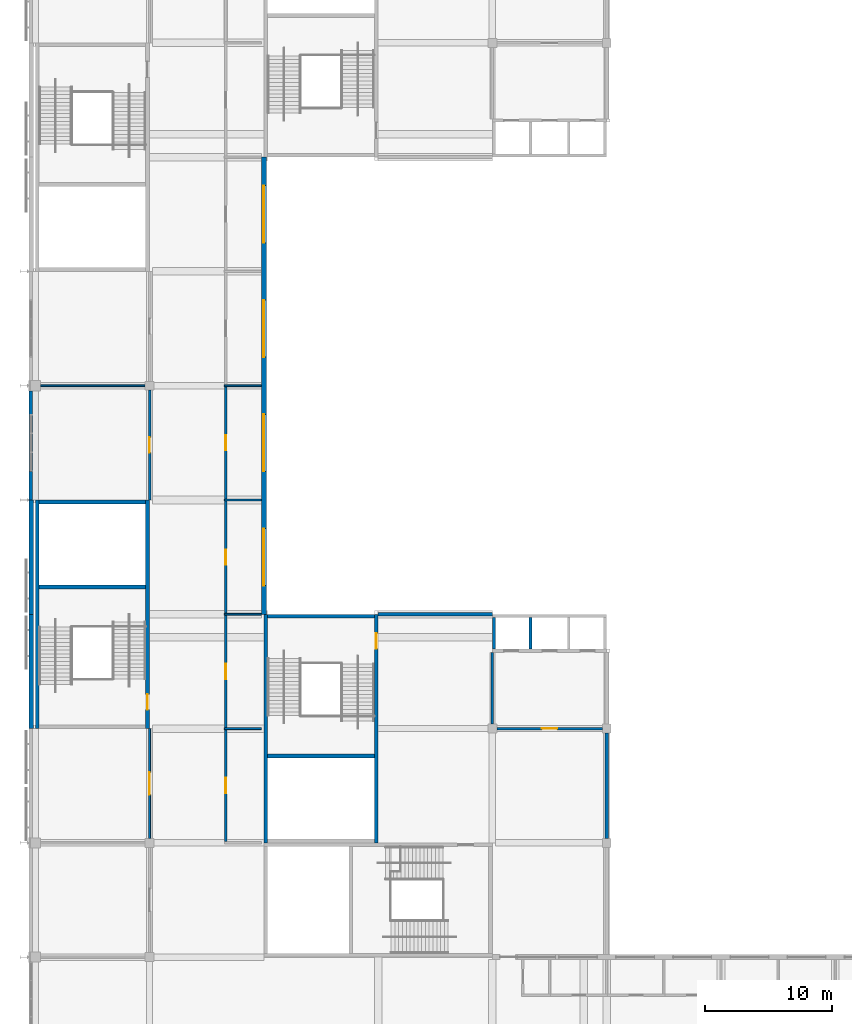
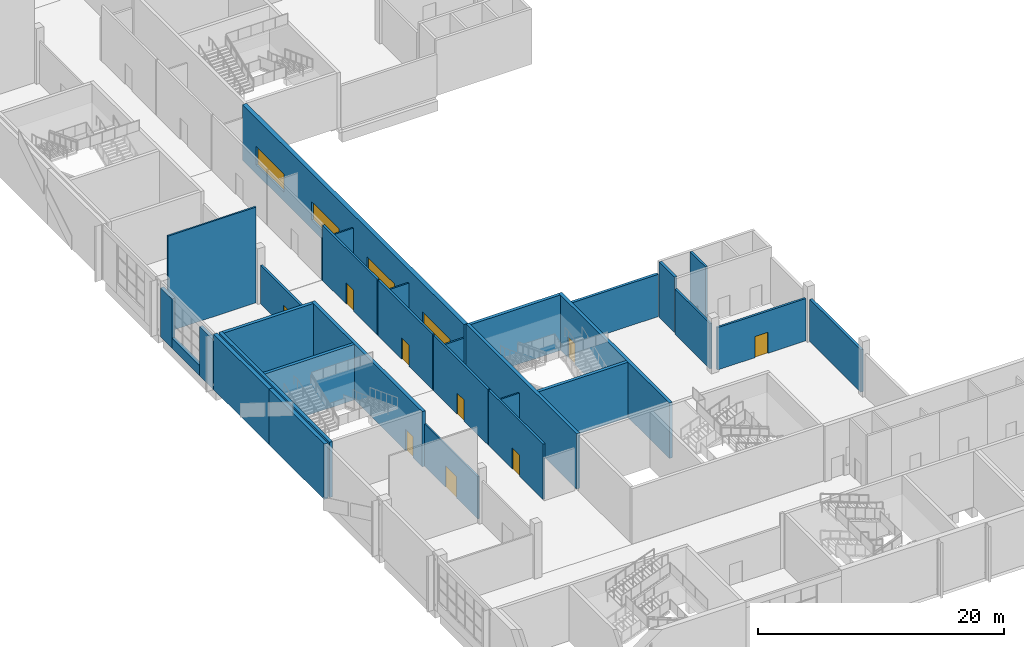
# One storey, part 33 of 84: 31 walls, 9 doors, 4 windows, 13 openings.
"""IFC4 building model written with IfcOpenShell, lengths in metres."""

from ifc_helpers import new_model, si_unit, direction, frame, frame_2d, origin, place, context, subcontext, project, spatial, rectangle, extrude, material, layer, layer_set, type_object, element, fill, save


model = new_model("IFC4")

# Units and contexts
model_context = context("Model", 3, precision=1e-05, world=origin(), true_north=direction((0.0, 1.0)))
body_context = subcontext(model_context, "Body", "Model", "MODEL_VIEW")
ifc_project = project(units=[si_unit("LENGTHUNIT", "METRE"), si_unit("AREAUNIT", "SQUARE_METRE"), si_unit("VOLUMEUNIT", "CUBIC_METRE"), si_unit("PLANEANGLEUNIT", "RADIAN"), si_unit("MASSUNIT", "GRAM", prefix="KILO")], contexts=[model_context])

# Site, building, storey
site_placement = place(None, origin())
site = spatial("IfcSite", under=ifc_project, at=site_placement, CompositionType="ELEMENT")
building_placement = place(site_placement, origin())
building = spatial("IfcBuilding", under=site, at=building_placement, Name="Silverbay Arena", CompositionType="ELEMENT")
storey_placement = place(building_placement, frame((0.0, 0.0, 28.0)))
storey = spatial("IfcBuildingStorey", under=building, at=storey_placement, Name="L04", CompositionType="ELEMENT", Elevation=28.0)

# Walls
ifc_material_1 = material(Name="Anodised aluminium cladding on insulated backing", Category="aluminium")
ifc_layer_1 = layer(ifc_material_1, 0.300048828125)
ifc_layer_set_1 = layer_set([ifc_layer_1], Name="Anodised aluminium cladding on insulated backing")
wall_type_1 = type_object("IfcWallType", Name="Aluminium clad wall 300", PredefinedType="SOLIDWALL", material=ifc_layer_set_1)
wall_1_placement = place(storey_placement, frame((53.64990234375, 74.25, 0.0), z_axis=(0.0, 0.0, 1.0), x_axis=(0.0, -1.0, 0.0)))
element("IfcWall", 1, at=wall_1_placement, inside=storey, type_object=wall_type_1, Name="West external wall L04 bay 7 pier", PredefinedType="SOLIDWALL", context=body_context, shape_type="SweptSolid", body=[
    extrude(rectangle(XDim=2.25, YDim=0.300048828125, at=frame_2d((1.125, 0.0))), origin(), (0.0, 0.0, 1.0), 4.89990234375),
])
wall_2_placement = place(storey_placement, frame((53.64990234375, 80.60009765625, 0.0), z_axis=(0.0, 0.0, 1.0), x_axis=(0.0, -1.0, 0.0)))
element("IfcWall", 2, at=wall_2_placement, inside=storey, type_object=wall_type_1, Name="West external wall L04 bay 7 pier", PredefinedType="SOLIDWALL", context=body_context, shape_type="SweptSolid", body=[
    extrude(rectangle(XDim=1.85009765625, YDim=0.300048828125, at=frame_2d((0.925048828125, 0.0))), origin(), (0.0, 0.0, 1.0), 4.89990234375),
])
wall_3_placement = place(storey_placement, frame((53.64990234375, 78.75, 0.0), z_axis=(0.0, 0.0, 1.0), x_axis=(0.0, -1.0, 0.0)))
element("IfcWall", 3, at=wall_3_placement, inside=storey, type_object=wall_type_1, Name="West external wall L04 bay 7 sill wall", PredefinedType="SOLIDWALL", context=body_context, shape_type="SweptSolid", body=[
    extrude(rectangle(XDim=4.5, YDim=0.300048828125, at=frame_2d((2.25, 0.0))), origin(), (0.0, 0.0, 1.0), 1.0),
])
ifc_material_2 = material(Name="Concrete Grade C45", Category="concrete")
ifc_layer_2 = layer(ifc_material_2, 0.25)
ifc_layer_set_2 = layer_set([ifc_layer_2], Name="Concrete Grade C45")
wall_type_2 = type_object("IfcWallType", Name="Bowl enclosure wall RC 250 EI 120", PredefinedType="SOLIDWALL", material=ifc_layer_set_2)
wall_4_placement = place(storey_placement, frame((99.0, 45.35009765625, 0.0), z_axis=(0.0, 0.0, 1.0), x_axis=(0.0, 1.0, 0.0)))
element("IfcWall", 4, at=wall_4_placement, inside=storey, type_object=wall_type_2, Name="Bowl enclosure wall, corner block SW-x", PredefinedType="SOLIDWALL", context=body_context, shape_type="SweptSolid", body=[
    extrude(rectangle(XDim=8.2998046875, YDim=0.25, at=frame_2d((4.14990234375, 0.0))), origin(), (0.0, 0.0, 1.0), 4.199951171875),
])
wall_5_placement = place(storey_placement, frame((81.0, 63.0, 0.0), z_axis=(0.0, 0.0, 1.0), x_axis=(1.0, 0.0, 0.0)))
element("IfcWall", 5, at=wall_5_placement, inside=storey, type_object=wall_type_2, Name="Bowl enclosure wall, corner block SW-y", PredefinedType="SOLIDWALL", context=body_context, shape_type="SweptSolid", body=[
    extrude(rectangle(XDim=9.0, YDim=0.25, at=frame_2d((4.5, 0.0))), origin(), (0.0, 0.0, 1.0), 4.199951171875),
])

# Wall, opening, door
ifc_material_3 = material(Name="Concrete Grade C45", Category="concrete")
ifc_layer_3 = layer(ifc_material_3, 0.300048828125)
ifc_layer_set_3 = layer_set([ifc_layer_3], Name="Concrete Grade C45")
wall_type_3 = type_object("IfcWallType", Name="Core wall RC 300 EI 120", PredefinedType="SHEAR", material=ifc_layer_set_3)
wall_6_placement = place(storey_placement, frame((62.85009765625, 54.0, 0.0), z_axis=(0.0, 0.0, 1.0), x_axis=(0.0, 1.0, 0.0)))
wall_6 = element("IfcWall", 6, at=wall_6_placement, inside=storey, type_object=wall_type_3, Name="Core wall ST-W1 L04 door side", PredefinedType="SHEAR", context=body_context, shape_type="SweptSolid", body=[
    extrude(rectangle(XDim=18.0, YDim=0.300048828125, at=frame_2d((9.0, 0.0))), origin(), (0.0, 0.0, 1.0), 5.5),
])
opening_1_placement = place(wall_6_placement, frame((1.5, 0.0, 0.0)))
opening_1 = element("IfcOpeningElement", 7, at=opening_1_placement, cuts=wall_6, Name="Opening L04-067", PredefinedType="OPENING", context=body_context, shape_type="SweptSolid", body=[
    extrude(rectangle(XDim=1.199951171875, YDim=2.10009765625, at=frame_2d((0.60009765625, 1.050048828125))), frame((0.0, 0.16015625, 0.0), z_axis=(0.0, -1.0, 0.0), x_axis=(1.0, 0.0, 0.0)), (0.0, 0.0, 1.0), 0.320068359375),
])
ifc_material_4 = material(Name="Steel fire door", Category="steel")
door_type_1 = type_object("IfcDoorType", Name="Stair door 1200 x 2100 fire door", OperationType="SINGLE_SWING_LEFT", PredefinedType="DOOR", material=ifc_material_4)
door_1_placement = place(opening_1_placement, origin())
door_1 = element("IfcDoor", 8, at=door_1_placement, inside=storey, type_object=door_type_1, Name="Stair door ST-W1 L04", OperationType="SINGLE_SWING_LEFT", OverallHeight=2.10009765625, OverallWidth=1.199951171875, PredefinedType="DOOR", context=body_context, shape_type="SweptSolid", body=[
    extrude(rectangle(XDim=1.199951171875, YDim=2.10009765625, at=frame_2d((0.60009765625, 1.050048828125))), frame((0.0, 0.02490234375, 0.0), z_axis=(0.0, -1.0, 0.0), x_axis=(1.0, 0.0, 0.0)), (0.0, 0.0, 1.0), 0.050048828125),
])
fill(opening_1, door_1)

# Walls
wall_7_placement = place(storey_placement, frame((54.14990234375, 54.0, 0.0), z_axis=(0.0, 0.0, 1.0), x_axis=(0.0, 1.0, 0.0)))
element("IfcWall", 9, at=wall_7_placement, inside=storey, type_object=wall_type_3, Name="Core wall ST-W1 L04 far side", PredefinedType="SHEAR", context=body_context, shape_type="SweptSolid", body=[
    extrude(rectangle(XDim=18.0, YDim=0.300048828125, at=frame_2d((9.0, 0.0))), origin(), (0.0, 0.0, 1.0), 5.5),
])
for number, where, z_axis, x_axis, name in (
    (10, (62.699951171875, 71.85009765625, 0.0), (0.0, 0.0, 1.0), (-1.0, 0.0, 0.0), "Core wall ST-W1 L04 end 2"),
    (11, (62.699951171875, 65.14990234375, 0.0), (0.0, 0.0, 1.0), (-1.0, 0.0, 0.0), "Core wall ST-W1 L04 stair enclosure"),
):
    element("IfcWall", number, at=place(storey_placement, frame(where, z_axis=z_axis, x_axis=x_axis)), inside=storey, type_object=wall_type_3, Name=name, PredefinedType="SHEAR", context=body_context, shape_type="SweptSolid", body=[
        extrude(rectangle(XDim=8.39990234375, YDim=0.300048828125, at=frame_2d((4.199951171875, 0.0))), origin(), (0.0, 0.0, 1.0), 5.5),
    ])

# Wall, opening, door
wall_8_placement = place(storey_placement, frame((80.85009765625, 63.0, 0.0), z_axis=(0.0, 0.0, 1.0), x_axis=(0.0, -1.0, 0.0)))
wall_8 = element("IfcWall", 12, at=wall_8_placement, inside=storey, type_object=wall_type_3, Name="Core wall ST-SW2 L04 door side", PredefinedType="SHEAR", context=body_context, shape_type="SweptSolid", body=[
    extrude(rectangle(XDim=18.0, YDim=0.300048828125, at=frame_2d((9.0, 0.0))), origin(), (0.0, 0.0, 1.0), 5.5),
])
opening_2_placement = place(wall_8_placement, frame((1.5, 0.0, 0.0)))
opening_2 = element("IfcOpeningElement", 13, at=opening_2_placement, cuts=wall_8, Name="Opening L04-072", PredefinedType="OPENING", context=body_context, shape_type="SweptSolid", body=[
    extrude(rectangle(XDim=1.199951171875, YDim=2.10009765625, at=frame_2d((0.60009765625, 1.050048828125))), frame((0.0, 0.16015625, 0.0), z_axis=(0.0, -1.0, 0.0), x_axis=(1.0, 0.0, 0.0)), (0.0, 0.0, 1.0), 0.320068359375),
])
door_2_placement = place(opening_2_placement, frame((1.199951171875, 0.0, 0.0), z_axis=(0.0, 0.0, 1.0), x_axis=(-1.0, 0.0, 0.0)))
door_2 = element("IfcDoor", 14, at=door_2_placement, inside=storey, type_object=door_type_1, Name="Stair door ST-SW2 L04", OperationType="SINGLE_SWING_RIGHT", OverallHeight=2.10009765625, OverallWidth=1.199951171875, PredefinedType="DOOR", context=body_context, shape_type="SweptSolid", body=[
    extrude(rectangle(XDim=1.199951171875, YDim=2.10009765625, at=frame_2d((0.60009765625, 1.050048828125))), frame((0.0, 0.02490234375, 0.0), z_axis=(0.0, -1.0, 0.0), x_axis=(1.0, 0.0, 0.0)), (0.0, 0.0, 1.0), 0.050048828125),
])
fill(opening_2, door_2)

# Walls
wall_9_placement = place(storey_placement, frame((72.14990234375, 63.0, 0.0), z_axis=(0.0, 0.0, 1.0), x_axis=(0.0, -1.0, 0.0)))
element("IfcWall", 15, at=wall_9_placement, inside=storey, type_object=wall_type_3, Name="Core wall ST-SW2 L04 far side", PredefinedType="SHEAR", context=body_context, shape_type="SweptSolid", body=[
    extrude(rectangle(XDim=18.0, YDim=0.300048828125, at=frame_2d((9.0, 0.0))), origin(), (0.0, 0.0, 1.0), 5.5),
])
for number, where, z_axis, x_axis, name in (
    (16, (80.699951171875, 62.85009765625, 0.0), (0.0, 0.0, 1.0), (-1.0, 0.0, 0.0), "Core wall ST-SW2 L04 end 1"),
    (17, (80.699951171875, 51.85009765625, 0.0), (0.0, 0.0, 1.0), (-1.0, 0.0, 0.0), "Core wall ST-SW2 L04 stair enclosure"),
):
    element("IfcWall", number, at=place(storey_placement, frame(where, z_axis=z_axis, x_axis=x_axis)), inside=storey, type_object=wall_type_3, Name=name, PredefinedType="SHEAR", context=body_context, shape_type="SweptSolid", body=[
        extrude(rectangle(XDim=8.39990234375, YDim=0.300048828125, at=frame_2d((4.199951171875, 0.0))), origin(), (0.0, 0.0, 1.0), 5.5),
    ])
ifc_material_5 = material(Name="Concrete Grade C45", Category="concrete")
ifc_layer_4 = layer(ifc_material_5, 0.199951171875)
ifc_layer_set_4 = layer_set([ifc_layer_4], Name="Concrete Grade C45")
wall_type_4 = type_object("IfcWallType", Name="Lift shaft divider RC 200 EI 120", PredefinedType="SHEAR", material=ifc_layer_set_4)
wall_10_placement = place(storey_placement, frame((93.0, 60.25, 0.0), z_axis=(0.0, 0.0, 1.0), x_axis=(0.0, 1.0, 0.0)))
element("IfcWall", 18, at=wall_10_placement, inside=storey, type_object=wall_type_4, Name="Lift shaft divider LB-SW L04 1", PredefinedType="SHEAR", context=body_context, shape_type="SweptSolid", body=[
    extrude(rectangle(XDim=2.5, YDim=0.199951171875, at=frame_2d((1.25, 0.0))), origin(), (0.0, 0.0, 1.0), 5.5),
])
ifc_material_6 = material(Name="Concrete Grade C45", Category="concrete")
ifc_layer_5 = layer(ifc_material_6, 0.25)
ifc_layer_set_5 = layer_set([ifc_layer_5], Name="Concrete Grade C45")
wall_type_5 = type_object("IfcWallType", Name="Lift shaft wall RC 250 EI 120", PredefinedType="SHEAR", material=ifc_layer_set_5)
wall_11_placement = place(storey_placement, frame((90.125, 60.25, 0.0), z_axis=(0.0, 0.0, 1.0), x_axis=(0.0, 1.0, 0.0)))
element("IfcWall", 19, at=wall_11_placement, inside=storey, type_object=wall_type_5, Name="Lift shaft wall LB-SW L04 end", PredefinedType="SHEAR", context=body_context, shape_type="SweptSolid", body=[
    extrude(rectangle(XDim=2.5, YDim=0.25, at=frame_2d((1.25, 0.0))), origin(), (0.0, 0.0, 1.0), 5.5),
])
ifc_material_7 = material(Name="Gypsum board partition on steel studs", Category="steel")
ifc_layer_6 = layer(ifc_material_7, 0.14990234375)
ifc_layer_set_6 = layer_set([ifc_layer_6], Name="Gypsum board partition on steel studs")
wall_type_6 = type_object("IfcWallType", Name="Partition 150 EI 60", PredefinedType="PARTITIONING", material=ifc_layer_set_6)
for number, where, z_axis, x_axis, name in (
    (20, (68.89990234375, 54.0, 0.0), (0.0, 0.0, 1.0), (1.0, 0.0, 0.0), "Partition wall"),
    (21, (68.89990234375, 63.0, 0.0), (0.0, 0.0, 1.0), (1.0, 0.0, 0.0), "Partition wall"),
    (22, (68.89990234375, 72.0, 0.0), (0.0, 0.0, 1.0), (1.0, 0.0, 0.0), "Partition wall"),
):
    element("IfcWall", number, at=place(storey_placement, frame(where, z_axis=z_axis, x_axis=x_axis)), inside=storey, type_object=wall_type_6, Name=name, PredefinedType="PARTITIONING", context=body_context, shape_type="SweptSolid", body=[
        extrude(rectangle(XDim=2.900146484375, YDim=0.14990234375, at=frame_2d((1.4501953125, 0.0))), origin(), (0.0, 0.0, 1.0), 4.199951171875),
    ])
wall_12_placement = place(storey_placement, frame((54.39990234375, 81.0, 0.0), z_axis=(0.0, 0.0, 1.0), x_axis=(1.0, 0.0, 0.0)))
element("IfcWall", 23, at=wall_12_placement, inside=storey, type_object=wall_type_6, Name="Partition wall", PredefinedType="PARTITIONING", context=body_context, shape_type="SweptSolid", body=[
    extrude(rectangle(XDim=8.25, YDim=0.14990234375, at=frame_2d((4.125, 0.0))), origin(), (0.0, 0.0, 1.0), 9.5),
])
wall_13_placement = place(storey_placement, frame((68.89990234375, 81.0, 0.0), z_axis=(0.0, 0.0, 1.0), x_axis=(1.0, 0.0, 0.0)))
element("IfcWall", 24, at=wall_13_placement, inside=storey, type_object=wall_type_6, Name="Partition wall", PredefinedType="PARTITIONING", context=body_context, shape_type="SweptSolid", body=[
    extrude(rectangle(XDim=2.900146484375, YDim=0.14990234375, at=frame_2d((1.4501953125, 0.0))), origin(), (0.0, 0.0, 1.0), 4.199951171875),
])

# Wall, opening, door
wall_14_placement = place(storey_placement, frame((63.0, 45.35009765625, 0.0), z_axis=(0.0, 0.0, 1.0), x_axis=(0.0, 1.0, 0.0)))
wall_14 = element("IfcWall", 25, at=wall_14_placement, inside=storey, type_object=wall_type_6, Name="Partition wall", PredefinedType="PARTITIONING", context=body_context, shape_type="SweptSolid", body=[
    extrude(rectangle(XDim=8.64990234375, YDim=0.14990234375, at=frame_2d((4.324951171875, 0.0))), origin(), (0.0, 0.0, 1.0), 4.199951171875),
])
opening_3_placement = place(wall_14_placement, frame((3.425048828125, 0.0, 0.0)))
opening_3 = element("IfcOpeningElement", 26, at=opening_3_placement, cuts=wall_14, Name="Opening L04-008", PredefinedType="OPENING", context=body_context, shape_type="SweptSolid", body=[
    extrude(rectangle(XDim=1.800048828125, YDim=2.10009765625, at=frame_2d((0.89990234375, 1.050048828125))), frame((0.0, 0.0849609375, 0.0), z_axis=(0.0, -1.0, 0.0), x_axis=(1.0, 0.0, 0.0)), (0.0, 0.0, 1.0), 0.169921875),
])
ifc_material_8 = material(Name="Steel faced timber", Category="steel")
door_type_2 = type_object("IfcDoorType", Name="Double leaf door 1800 x 2100 FD30S", OperationType="DOUBLE_DOOR_DOUBLE_SWING", PredefinedType="DOOR", material=ifc_material_8)
door_3_placement = place(opening_3_placement, origin())
door_3 = element("IfcDoor", 27, at=door_3_placement, inside=storey, type_object=door_type_2, Name="Door L04-008", OperationType="DOUBLE_DOOR_DOUBLE_SWING", OverallHeight=2.10009765625, OverallWidth=1.800048828125, PredefinedType="DOOR", context=body_context, shape_type="SweptSolid", body=[
    extrude(rectangle(XDim=1.800048828125, YDim=2.10009765625, at=frame_2d((0.89990234375, 1.050048828125))), frame((0.0, 0.02490234375, 0.0), z_axis=(0.0, -1.0, 0.0), x_axis=(1.0, 0.0, 0.0)), (0.0, 0.0, 1.0), 0.050048828125),
])
fill(opening_3, door_3)

ifc_material_9 = material(Name="Masonry blockwork partition", Category="masonry")
ifc_layer_7 = layer(ifc_material_9, 0.199951171875)
ifc_layer_set_7 = layer_set([ifc_layer_7], Name="Masonry blockwork partition")
wall_type_7 = type_object("IfcWallType", Name="Partition 200 EI 120", PredefinedType="PARTITIONING", material=ifc_layer_set_7)
wall_15_placement = place(storey_placement, frame((90.35009765625, 54.0, 0.0), z_axis=(0.0, 0.0, 1.0), x_axis=(1.0, 0.0, 0.0)))
wall_15 = element("IfcWall", 28, at=wall_15_placement, inside=storey, type_object=wall_type_7, Name="Partition wall", PredefinedType="PARTITIONING", context=body_context, shape_type="SweptSolid", body=[
    extrude(rectangle(XDim=8.2998046875, YDim=0.199951171875, at=frame_2d((4.14990234375, 0.0))), origin(), (0.0, 0.0, 1.0), 4.199951171875),
])
opening_4_placement = place(wall_15_placement, frame((3.550048828125, 0.0, 0.0)))
opening_4 = element("IfcOpeningElement", 29, at=opening_4_placement, cuts=wall_15, Name="Opening L04-019", PredefinedType="OPENING", context=body_context, shape_type="SweptSolid", body=[
    extrude(rectangle(XDim=1.199951171875, YDim=2.10009765625, at=frame_2d((0.60009765625, 1.050048828125))), frame((0.0, 0.10986328125, 0.0), z_axis=(0.0, -1.0, 0.0), x_axis=(1.0, 0.0, 0.0)), (0.0, 0.0, 1.0), 0.219970703125),
])
ifc_material_10 = material(Name="Steel faced timber", Category="steel")
door_type_3 = type_object("IfcDoorType", Name="Single leaf door 1200 x 2100 FD60", OperationType="SINGLE_SWING_LEFT", PredefinedType="DOOR", material=ifc_material_10)
door_4_placement = place(opening_4_placement, frame((1.199951171875, 0.0, 0.0), z_axis=(0.0, 0.0, 1.0), x_axis=(-1.0, 0.0, 0.0)))
door_4 = element("IfcDoor", 30, at=door_4_placement, inside=storey, type_object=door_type_3, Name="Door L04-019", OperationType="SINGLE_SWING_RIGHT", OverallHeight=2.10009765625, OverallWidth=1.199951171875, PredefinedType="DOOR", context=body_context, shape_type="SweptSolid", body=[
    extrude(rectangle(XDim=1.199951171875, YDim=2.10009765625, at=frame_2d((0.60009765625, 1.050048828125))), frame((0.0, 0.02490234375, 0.0), z_axis=(0.0, -1.0, 0.0), x_axis=(1.0, 0.0, 0.0)), (0.0, 0.0, 1.0), 0.050048828125),
])
fill(opening_4, door_4)

wall_16_placement = place(storey_placement, frame((63.0, 72.0, 0.0), z_axis=(0.0, 0.0, 1.0), x_axis=(0.0, 1.0, 0.0)))
wall_16 = element("IfcWall", 31, at=wall_16_placement, inside=storey, type_object=wall_type_7, Name="Partition wall", PredefinedType="PARTITIONING", context=body_context, shape_type="SweptSolid", body=[
    extrude(rectangle(XDim=8.64990234375, YDim=0.199951171875, at=frame_2d((4.324951171875, 0.0))), origin(), (0.0, 0.0, 1.0), 3.800048828125),
])
opening_5_placement = place(wall_16_placement, frame((3.72509765625, 0.0, 0.0)))
opening_5 = element("IfcOpeningElement", 32, at=opening_5_placement, cuts=wall_16, Name="Opening L04-009", PredefinedType="OPENING", context=body_context, shape_type="SweptSolid", body=[
    extrude(rectangle(XDim=1.199951171875, YDim=2.10009765625, at=frame_2d((0.60009765625, 1.050048828125))), frame((0.0, 0.10986328125, 0.0), z_axis=(0.0, -1.0, 0.0), x_axis=(1.0, 0.0, 0.0)), (0.0, 0.0, 1.0), 0.219970703125),
])
ifc_material_11 = material(Name="Steel faced timber", Category="steel")
door_type_4 = type_object("IfcDoorType", Name="Single leaf door 1200 x 2100 FD120", OperationType="SINGLE_SWING_LEFT", PredefinedType="DOOR", material=ifc_material_11)
door_5_placement = place(opening_5_placement, origin())
door_5 = element("IfcDoor", 33, at=door_5_placement, inside=storey, type_object=door_type_4, Name="Door L04-009", OperationType="SINGLE_SWING_LEFT", OverallHeight=2.10009765625, OverallWidth=1.199951171875, PredefinedType="DOOR", context=body_context, shape_type="SweptSolid", body=[
    extrude(rectangle(XDim=1.199951171875, YDim=2.10009765625, at=frame_2d((0.60009765625, 1.050048828125))), frame((0.0, 0.02490234375, 0.0), z_axis=(0.0, -1.0, 0.0), x_axis=(1.0, 0.0, 0.0)), (0.0, 0.0, 1.0), 0.050048828125),
])
fill(opening_5, door_5)

wall_17_placement = place(storey_placement, frame((69.0, 45.10009765625, 0.0), z_axis=(0.0, 0.0, 1.0), x_axis=(0.0, 1.0, 0.0)))
wall_17 = element("IfcWall", 34, at=wall_17_placement, inside=storey, type_object=wall_type_7, Name="Partition wall", PredefinedType="PARTITIONING", context=body_context, shape_type="SweptSolid", body=[
    extrude(rectangle(XDim=8.824951171875, YDim=0.199951171875, at=frame_2d((4.41259765625, 0.0))), origin(), (0.0, 0.0, 1.0), 5.5),
])
opening_6_placement = place(wall_17_placement, frame((3.81201171875, 0.0, 0.0)))
opening_6 = element("IfcOpeningElement", 35, at=opening_6_placement, cuts=wall_17, Name="Opening L04-038", PredefinedType="OPENING", context=body_context, shape_type="SweptSolid", body=[
    extrude(rectangle(XDim=1.199951171875, YDim=2.10009765625, at=frame_2d((0.60009765625, 1.050048828125))), frame((0.0, 0.10986328125, 0.0), z_axis=(0.0, -1.0, 0.0), x_axis=(1.0, 0.0, 0.0)), (0.0, 0.0, 1.0), 0.219970703125),
])
door_6_placement = place(opening_6_placement, frame((1.199951171875, 0.0, 0.0), z_axis=(0.0, 0.0, 1.0), x_axis=(-1.0, 0.0, 0.0)))
door_6 = element("IfcDoor", 36, at=door_6_placement, inside=storey, type_object=door_type_4, Name="Door L04-038", OperationType="SINGLE_SWING_LEFT", OverallHeight=2.10009765625, OverallWidth=1.199951171875, PredefinedType="DOOR", context=body_context, shape_type="SweptSolid", body=[
    extrude(rectangle(XDim=1.199951171875, YDim=2.10009765625, at=frame_2d((0.60009765625, 1.050048828125))), frame((0.0, 0.02490234375, 0.0), z_axis=(0.0, -1.0, 0.0), x_axis=(1.0, 0.0, 0.0)), (0.0, 0.0, 1.0), 0.050048828125),
])
fill(opening_6, door_6)

wall_18_placement = place(storey_placement, frame((69.0, 54.074951171875, 0.0), z_axis=(0.0, 0.0, 1.0), x_axis=(0.0, 1.0, 0.0)))
wall_18 = element("IfcWall", 37, at=wall_18_placement, inside=storey, type_object=wall_type_7, Name="Partition wall", PredefinedType="PARTITIONING", context=body_context, shape_type="SweptSolid", body=[
    extrude(rectangle(XDim=8.85009765625, YDim=0.199951171875, at=frame_2d((4.425048828125, 0.0))), origin(), (0.0, 0.0, 1.0), 5.5),
])
opening_7_placement = place(wall_18_placement, frame((3.824951171875, 0.0, 0.0)))
opening_7 = element("IfcOpeningElement", 38, at=opening_7_placement, cuts=wall_18, Name="Opening L04-039", PredefinedType="OPENING", context=body_context, shape_type="SweptSolid", body=[
    extrude(rectangle(XDim=1.199951171875, YDim=2.10009765625, at=frame_2d((0.60009765625, 1.050048828125))), frame((0.0, 0.10986328125, 0.0), z_axis=(0.0, -1.0, 0.0), x_axis=(1.0, 0.0, 0.0)), (0.0, 0.0, 1.0), 0.219970703125),
])
door_7_placement = place(opening_7_placement, frame((1.199951171875, 0.0, 0.0), z_axis=(0.0, 0.0, 1.0), x_axis=(-1.0, 0.0, 0.0)))
door_7 = element("IfcDoor", 39, at=door_7_placement, inside=storey, type_object=door_type_4, Name="Door L04-039", OperationType="SINGLE_SWING_RIGHT", OverallHeight=2.10009765625, OverallWidth=1.199951171875, PredefinedType="DOOR", context=body_context, shape_type="SweptSolid", body=[
    extrude(rectangle(XDim=1.199951171875, YDim=2.10009765625, at=frame_2d((0.60009765625, 1.050048828125))), frame((0.0, 0.02490234375, 0.0), z_axis=(0.0, -1.0, 0.0), x_axis=(1.0, 0.0, 0.0)), (0.0, 0.0, 1.0), 0.050048828125),
])
fill(opening_7, door_7)

wall_19_placement = place(storey_placement, frame((69.0, 63.074951171875, 0.0), z_axis=(0.0, 0.0, 1.0), x_axis=(0.0, 1.0, 0.0)))
wall_19 = element("IfcWall", 40, at=wall_19_placement, inside=storey, type_object=wall_type_7, Name="Partition wall", PredefinedType="PARTITIONING", context=body_context, shape_type="SweptSolid", body=[
    extrude(rectangle(XDim=8.85009765625, YDim=0.199951171875, at=frame_2d((4.425048828125, 0.0))), origin(), (0.0, 0.0, 1.0), 5.5),
])
opening_8_placement = place(wall_19_placement, frame((3.824951171875, 0.0, 0.0)))
opening_8 = element("IfcOpeningElement", 41, at=opening_8_placement, cuts=wall_19, Name="Opening L04-040", PredefinedType="OPENING", context=body_context, shape_type="SweptSolid", body=[
    extrude(rectangle(XDim=1.199951171875, YDim=2.10009765625, at=frame_2d((0.60009765625, 1.050048828125))), frame((0.0, 0.10986328125, 0.0), z_axis=(0.0, -1.0, 0.0), x_axis=(1.0, 0.0, 0.0)), (0.0, 0.0, 1.0), 0.219970703125),
])
door_8_placement = place(opening_8_placement, frame((1.199951171875, 0.0, 0.0), z_axis=(0.0, 0.0, 1.0), x_axis=(-1.0, 0.0, 0.0)))
door_8 = element("IfcDoor", 42, at=door_8_placement, inside=storey, type_object=door_type_4, Name="Door L04-040", OperationType="SINGLE_SWING_LEFT", OverallHeight=2.10009765625, OverallWidth=1.199951171875, PredefinedType="DOOR", context=body_context, shape_type="SweptSolid", body=[
    extrude(rectangle(XDim=1.199951171875, YDim=2.10009765625, at=frame_2d((0.60009765625, 1.050048828125))), frame((0.0, 0.02490234375, 0.0), z_axis=(0.0, -1.0, 0.0), x_axis=(1.0, 0.0, 0.0)), (0.0, 0.0, 1.0), 0.050048828125),
])
fill(opening_8, door_8)

wall_20_placement = place(storey_placement, frame((69.0, 72.074951171875, 0.0), z_axis=(0.0, 0.0, 1.0), x_axis=(0.0, 1.0, 0.0)))
wall_20 = element("IfcWall", 43, at=wall_20_placement, inside=storey, type_object=wall_type_7, Name="Partition wall", PredefinedType="PARTITIONING", context=body_context, shape_type="SweptSolid", body=[
    extrude(rectangle(XDim=8.85009765625, YDim=0.199951171875, at=frame_2d((4.425048828125, 0.0))), origin(), (0.0, 0.0, 1.0), 5.5),
])
opening_9_placement = place(wall_20_placement, frame((3.824951171875, 0.0, 0.0)))
opening_9 = element("IfcOpeningElement", 44, at=opening_9_placement, cuts=wall_20, Name="Opening L04-041", PredefinedType="OPENING", context=body_context, shape_type="SweptSolid", body=[
    extrude(rectangle(XDim=1.199951171875, YDim=2.10009765625, at=frame_2d((0.60009765625, 1.050048828125))), frame((0.0, 0.10986328125, 0.0), z_axis=(0.0, -1.0, 0.0), x_axis=(1.0, 0.0, 0.0)), (0.0, 0.0, 1.0), 0.219970703125),
])
door_9_placement = place(opening_9_placement, frame((1.199951171875, 0.0, 0.0), z_axis=(0.0, 0.0, 1.0), x_axis=(-1.0, 0.0, 0.0)))
door_9 = element("IfcDoor", 45, at=door_9_placement, inside=storey, type_object=door_type_4, Name="Door L04-041", OperationType="SINGLE_SWING_RIGHT", OverallHeight=2.10009765625, OverallWidth=1.199951171875, PredefinedType="DOOR", context=body_context, shape_type="SweptSolid", body=[
    extrude(rectangle(XDim=1.199951171875, YDim=2.10009765625, at=frame_2d((0.60009765625, 1.050048828125))), frame((0.0, 0.02490234375, 0.0), z_axis=(0.0, -1.0, 0.0), x_axis=(1.0, 0.0, 0.0)), (0.0, 0.0, 1.0), 0.050048828125),
])
fill(opening_9, door_9)

# Wall
wall_21_placement = place(storey_placement, frame((90.0, 54.35009765625, 0.0), z_axis=(0.0, 0.0, 1.0), x_axis=(0.0, 1.0, 0.0)))
element("IfcWall", 46, at=wall_21_placement, inside=storey, type_object=wall_type_7, Name="Partition wall", PredefinedType="PARTITIONING", context=body_context, shape_type="SweptSolid", body=[
    extrude(rectangle(XDim=5.64990234375, YDim=0.199951171875, at=frame_2d((2.824951171875, 0.0))), origin(), (0.0, 0.0, 1.0), 4.5),
])

# Wall, openings, windows
ifc_material_12 = material(Name="Concrete Grade C45", Category="concrete")
ifc_layer_8 = layer(ifc_material_12, 0.39990234375)
ifc_layer_set_8 = layer_set([ifc_layer_8], Name="Concrete Grade C45")
wall_type_8 = type_object("IfcWallType", Name="RC back wall 400 EI 120", PredefinedType="SOLIDWALL", material=ifc_layer_set_8)
wall_22_placement = place(storey_placement, frame((72.0, 99.0, 0.0), z_axis=(0.0, 0.0, 1.0), x_axis=(0.0, -1.0, 0.0)))
wall_22 = element("IfcWall", 47, at=wall_22_placement, inside=storey, type_object=wall_type_8, Name="Bowl back wall L04 04", PredefinedType="SOLIDWALL", context=body_context, shape_type="SweptSolid", body=[
    extrude(rectangle(XDim=36.0, YDim=0.39990234375, at=frame_2d((18.0, 0.0))), origin(), (0.0, 0.0, 1.0), 5.5),
])
opening_10_placement = place(wall_22_placement, frame((29.25, 0.0, 0.89990234375)))
opening_10 = element("IfcOpeningElement", 48, at=opening_10_placement, cuts=wall_22, Name="Opening WN3", PredefinedType="OPENING", context=body_context, shape_type="SweptSolid", body=[
    extrude(rectangle(XDim=4.5, YDim=1.800048828125, at=frame_2d((2.25, 0.89990234375))), frame((0.0, 0.2099609375, 0.0), z_axis=(0.0, -1.0, 0.0), x_axis=(1.0, 0.0, 0.0)), (0.0, 0.0, 1.0), 0.419921875),
])
opening_11_placement = place(wall_22_placement, frame((20.25, 0.0, 0.89990234375)))
opening_11 = element("IfcOpeningElement", 49, at=opening_11_placement, cuts=wall_22, Name="Opening WN3", PredefinedType="OPENING", context=body_context, shape_type="SweptSolid", body=[
    extrude(rectangle(XDim=4.5, YDim=1.800048828125, at=frame_2d((2.25, 0.89990234375))), frame((0.0, 0.2099609375, 0.0), z_axis=(0.0, -1.0, 0.0), x_axis=(1.0, 0.0, 0.0)), (0.0, 0.0, 1.0), 0.419921875),
])
opening_12_placement = place(wall_22_placement, frame((11.25, 0.0, 0.89990234375)))
opening_12 = element("IfcOpeningElement", 50, at=opening_12_placement, cuts=wall_22, Name="Opening WN3", PredefinedType="OPENING", context=body_context, shape_type="SweptSolid", body=[
    extrude(rectangle(XDim=4.5, YDim=1.800048828125, at=frame_2d((2.25, 0.89990234375))), frame((0.0, 0.2099609375, 0.0), z_axis=(0.0, -1.0, 0.0), x_axis=(1.0, 0.0, 0.0)), (0.0, 0.0, 1.0), 0.419921875),
])
opening_13_placement = place(wall_22_placement, frame((2.25, 0.0, 0.89990234375)))
opening_13 = element("IfcOpeningElement", 51, at=opening_13_placement, cuts=wall_22, Name="Opening WN3", PredefinedType="OPENING", context=body_context, shape_type="SweptSolid", body=[
    extrude(rectangle(XDim=4.5, YDim=1.800048828125, at=frame_2d((2.25, 0.89990234375))), frame((0.0, 0.2099609375, 0.0), z_axis=(0.0, -1.0, 0.0), x_axis=(1.0, 0.0, 0.0)), (0.0, 0.0, 1.0), 0.419921875),
])
ifc_material_13 = material(Name="Fire-resisting glass", Category="glass")
window_type = type_object("IfcWindowType", Name="Fire-resisting window EI 120 4500 x 1800", PartitioningType="SINGLE_PANEL", PredefinedType="WINDOW", material=ifc_material_13)
window_1_placement = place(opening_10_placement, origin())
window_1 = element("IfcWindow", 52, at=window_1_placement, inside=storey, type_object=window_type, Name="Media viewing window Sky Suite 03", OverallHeight=1.800048828125, OverallWidth=4.5, PartitioningType="SINGLE_PANEL", PredefinedType="WINDOW", context=body_context, shape_type="SweptSolid", body=[
    extrude(rectangle(XDim=4.5, YDim=1.800048828125, at=frame_2d((2.25, 0.89990234375))), frame((0.0, 0.030029296875, 0.0), z_axis=(0.0, -1.0, 0.0), x_axis=(1.0, 0.0, 0.0)), (0.0, 0.0, 1.0), 0.06005859375),
])
fill(opening_10, window_1)
window_2_placement = place(opening_11_placement, origin())
window_2 = element("IfcWindow", 53, at=window_2_placement, inside=storey, type_object=window_type, Name="Media viewing window Sky Suite 04", OverallHeight=1.800048828125, OverallWidth=4.5, PartitioningType="SINGLE_PANEL", PredefinedType="WINDOW", context=body_context, shape_type="SweptSolid", body=[
    extrude(rectangle(XDim=4.5, YDim=1.800048828125, at=frame_2d((2.25, 0.89990234375))), frame((0.0, 0.030029296875, 0.0), z_axis=(0.0, -1.0, 0.0), x_axis=(1.0, 0.0, 0.0)), (0.0, 0.0, 1.0), 0.06005859375),
])
fill(opening_11, window_2)
window_3_placement = place(opening_12_placement, origin())
window_3 = element("IfcWindow", 54, at=window_3_placement, inside=storey, type_object=window_type, Name="Media viewing window Sky Suite 05", OverallHeight=1.800048828125, OverallWidth=4.5, PartitioningType="SINGLE_PANEL", PredefinedType="WINDOW", context=body_context, shape_type="SweptSolid", body=[
    extrude(rectangle(XDim=4.5, YDim=1.800048828125, at=frame_2d((2.25, 0.89990234375))), frame((0.0, 0.030029296875, 0.0), z_axis=(0.0, -1.0, 0.0), x_axis=(1.0, 0.0, 0.0)), (0.0, 0.0, 1.0), 0.06005859375),
])
fill(opening_12, window_3)
window_4_placement = place(opening_13_placement, origin())
window_4 = element("IfcWindow", 55, at=window_4_placement, inside=storey, type_object=window_type, Name="Media viewing window Sky Suite 06", OverallHeight=1.800048828125, OverallWidth=4.5, PartitioningType="SINGLE_PANEL", PredefinedType="WINDOW", context=body_context, shape_type="SweptSolid", body=[
    extrude(rectangle(XDim=4.5, YDim=1.800048828125, at=frame_2d((2.25, 0.89990234375))), frame((0.0, 0.030029296875, 0.0), z_axis=(0.0, -1.0, 0.0), x_axis=(1.0, 0.0, 0.0)), (0.0, 0.0, 1.0), 0.06005859375),
])
fill(opening_13, window_4)

# Walls
ifc_material_14 = material(Name="Concrete Grade C45", Category="concrete")
ifc_layer_9 = layer(ifc_material_14, 0.35009765625)
ifc_layer_set_9 = layer_set([ifc_layer_9], Name="Concrete Grade C45")
wall_type_9 = type_object("IfcWallType", Name="Stair core facade wall 350", PredefinedType="SOLIDWALL", material=ifc_layer_set_9)
for number, where, z_axis, x_axis, name in (
    (56, (53.675048828125, 63.0, 0.0), (0.0, 0.0, 1.0), (0.0, -1.0, 0.0), "West external wall L04 bay 5"),
    (57, (53.675048828125, 72.0, 0.0), (0.0, 0.0, 1.0), (0.0, -1.0, 0.0), "West external wall L04 bay 6"),
):
    element("IfcWall", number, at=place(storey_placement, frame(where, z_axis=z_axis, x_axis=x_axis)), inside=storey, type_object=wall_type_9, Name=name, PredefinedType="SOLIDWALL", context=body_context, shape_type="SweptSolid", body=[
        extrude(rectangle(XDim=9.0, YDim=0.35009765625, at=frame_2d((4.5, 0.0))), origin(), (0.0, 0.0, 1.0), 5.5),
    ])

save(model, "model.ifc")
